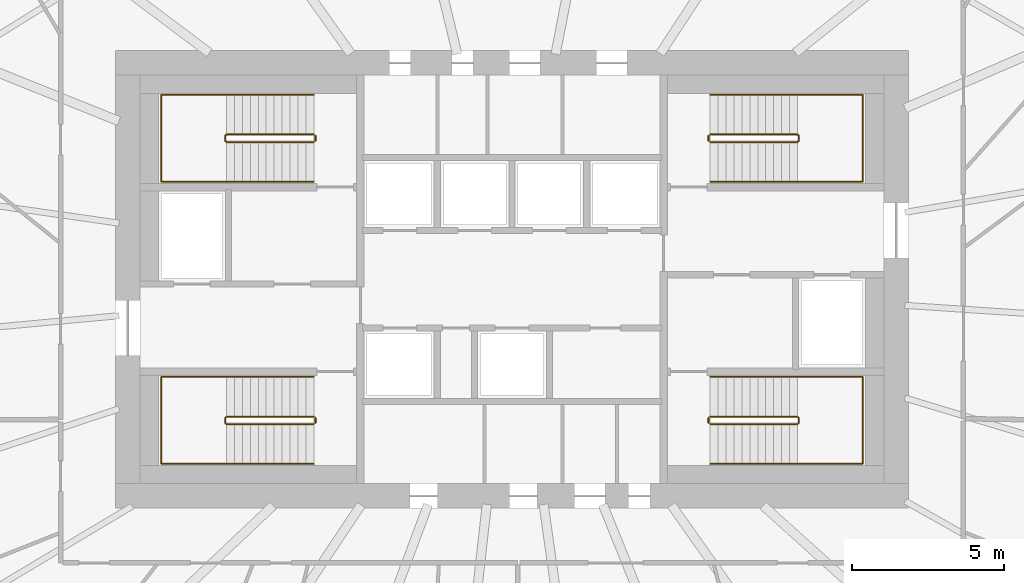
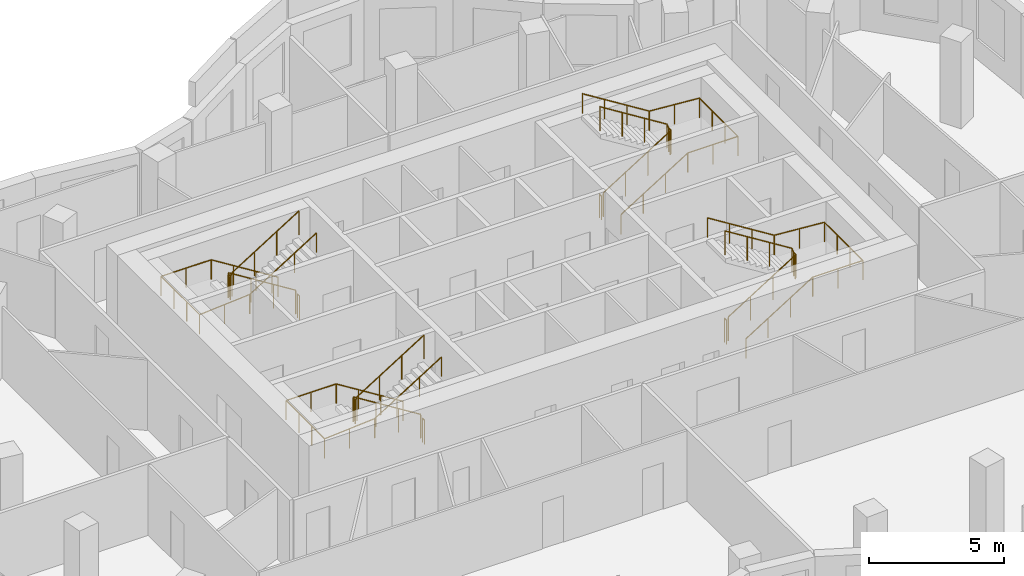
# One storey, part 9 of 9: 12 railings.
"""IFC4 building model written with IfcOpenShell, lengths in metres."""

from ifc_helpers import new_model, si_unit, direction, frame, origin, origin_2d, place, context, subcontext, project, spatial, circle, extrude, material, type_object, element, save


model = new_model("IFC4")

# Units and contexts
model_context = context("Model", 3, precision=1e-05, world=origin(), true_north=direction((0.0, 1.0)))
body_context = subcontext(model_context, "Body", "Model", "MODEL_VIEW")
ifc_project = project(units=[si_unit("LENGTHUNIT", "METRE"), si_unit("AREAUNIT", "SQUARE_METRE"), si_unit("VOLUMEUNIT", "CUBIC_METRE"), si_unit("PLANEANGLEUNIT", "RADIAN"), si_unit("MASSUNIT", "GRAM", prefix="KILO")], contexts=[model_context])

# Site, building, storey
site_placement = place(None, origin())
site = spatial("IfcSite", under=ifc_project, at=site_placement, CompositionType="ELEMENT")
building_placement = place(site_placement, origin())
building = spatial("IfcBuilding", under=site, at=building_placement, Name="Rubra Terraces Tower", CompositionType="ELEMENT")
storey_placement = place(building_placement, frame((0.0, 0.0, 300.0)))
storey = spatial("IfcBuildingStorey", under=building, at=storey_placement, Name="L74", CompositionType="ELEMENT", Elevation=300.0)

# Railings
ifc_material = material(Name="Stainless steel", Category="steel")
railing_type_1 = type_object("IfcRailingType", Name="Core stair guard 1100", PredefinedType="GUARDRAIL", material=ifc_material)
railing_1_placement = place(storey_placement, frame((-6.5, 0.0, 0.16259765625)))
element("IfcRailing", 1, at=railing_1_placement, inside=storey, type_object=railing_type_1, Name="L74 stair S1 guard 1", PredefinedType="GUARDRAIL", context=body_context, shape_type="SweptSolid", body=[
    extrude(circle(Radius=0.02392578125, at=origin_2d()), frame((0.0, 0.0, 1.076171875), z_axis=(-0.848026770018, 0.0, 0.529953391661), x_axis=(0.0, -1.0, 0.0)), (0.0, 0.0, 1.0), 3.37255859375),
    extrude(circle(Radius=0.02392578125, at=origin_2d()), frame((-2.860107421875, 0.0, 2.86328125), z_axis=(-0.705375805398, -0.708833529934, 0.0), x_axis=(0.708833529934, -0.705375805398, 0.0)), (0.0, 0.0, 1.0), 0.070556640625),
    extrude(circle(Radius=0.02392578125, at=origin_2d()), frame((-2.909912109375, -0.050048828125, 2.86328125), z_axis=(0.0, -1.0, 0.0), x_axis=(1.0, 0.0, 0.0)), (0.0, 0.0, 1.0), 0.14990234375),
    extrude(circle(Radius=0.02392578125, at=origin_2d()), frame((-2.909912109375, -0.199951171875, 2.86328125), z_axis=(0.280959487676, -0.282336740067, 0.917250092119), x_axis=(0.708833529934, 0.705375805398, 0.0)), (0.0, 0.0, 1.0), 0.17724609375),
    extrude(circle(Radius=0.02392578125, at=origin_2d()), frame((-2.860107421875, -0.25, 3.02587890625), z_axis=(0.848026770018, 0.0, 0.529953391661), x_axis=(0.0, 1.0, 0.0)), (0.0, 0.0, 1.0), 3.37255859375),
    extrude(circle(Radius=0.02099609375, at=origin_2d()), origin(), (0.0, 0.0, 1.0), 1.052001953125),
    extrude(circle(Radius=0.02099609375, at=origin_2d()), frame((-0.953369140625, 0.0, 0.595703125)), (0.0, 0.0, 1.0), 1.052001953125),
    extrude(circle(Radius=0.02099609375, at=origin_2d()), frame((-1.90673828125, 0.0, 1.191650390625)), (0.0, 0.0, 1.0), 1.052001953125),
    extrude(circle(Radius=0.02099609375, at=origin_2d()), frame((-2.860107421875, 0.0, 1.787353515625)), (0.0, 0.0, 1.0), 1.052001953125),
    extrude(circle(Radius=0.02099609375, at=origin_2d()), frame((-2.909912109375, -0.050048828125, 1.787353515625)), (0.0, 0.0, 1.0), 1.052001953125),
    extrude(circle(Radius=0.02099609375, at=origin_2d()), frame((-2.909912109375, -0.199951171875, 1.787353515625)), (0.0, 0.0, 1.0), 1.052001953125),
    extrude(circle(Radius=0.02099609375, at=origin_2d()), frame((-2.860107421875, -0.25, 1.949951171875)), (0.0, 0.0, 1.0), 1.052001953125),
    extrude(circle(Radius=0.02099609375, at=origin_2d()), frame((-1.90673828125, -0.25, 2.545654296875)), (0.0, 0.0, 1.0), 1.052001953125),
    extrude(circle(Radius=0.02099609375, at=origin_2d()), frame((-0.953369140625, -0.25, 3.1416015625)), (0.0, 0.0, 1.0), 1.052001953125),
    extrude(circle(Radius=0.02099609375, at=origin_2d()), frame((0.0, -0.25, 3.7373046875)), (0.0, 0.0, 1.0), 1.052001953125),
])
railing_2_placement = place(storey_placement, frame((-6.449951171875, -0.050048828125, 0.0)))
element("IfcRailing", 2, at=railing_2_placement, inside=storey, type_object=railing_type_1, Name="L74 stair S1 guard 2", PredefinedType="GUARDRAIL", context=body_context, shape_type="SweptSolid", body=[
    extrude(circle(Radius=0.02392578125, at=origin_2d()), frame((0.0, 0.0, 1.076171875), z_axis=(0.0, -1.0, 0.0), x_axis=(1.0, 0.0, 0.0)), (0.0, 0.0, 1.0), 0.14990234375),
    extrude(circle(Radius=0.02099609375, at=origin_2d()), origin(), (0.0, 0.0, 1.0), 1.052001953125),
    extrude(circle(Radius=0.02099609375, at=origin_2d()), frame((0.0, -0.14990234375, 0.0)), (0.0, 0.0, 1.0), 1.052001953125),
])
railing_3_placement = place(storey_placement, frame((-6.5, 9.25, 0.16259765625)))
element("IfcRailing", 3, at=railing_3_placement, inside=storey, type_object=railing_type_1, Name="L74 stair S2 guard 1", PredefinedType="GUARDRAIL", context=body_context, shape_type="SweptSolid", body=[
    extrude(circle(Radius=0.02392578125, at=origin_2d()), frame((0.0, 0.0, 1.076171875), z_axis=(-0.848026770018, 0.0, 0.529953391661), x_axis=(0.0, -1.0, 0.0)), (0.0, 0.0, 1.0), 3.37255859375),
    extrude(circle(Radius=0.02392578125, at=origin_2d()), frame((-2.860107421875, 0.0, 2.86328125), z_axis=(-0.705375805398, -0.708833529934, 0.0), x_axis=(0.708833529934, -0.705375805398, 0.0)), (0.0, 0.0, 1.0), 0.070556640625),
    extrude(circle(Radius=0.02392578125, at=origin_2d()), frame((-2.909912109375, -0.050048828125, 2.86328125), z_axis=(0.0, -1.0, 0.0), x_axis=(1.0, 0.0, 0.0)), (0.0, 0.0, 1.0), 0.14990234375),
    extrude(circle(Radius=0.02392578125, at=origin_2d()), frame((-2.909912109375, -0.199951171875, 2.86328125), z_axis=(0.280959487676, -0.282336740067, 0.917250092119), x_axis=(0.708833529934, 0.705375805398, 0.0)), (0.0, 0.0, 1.0), 0.17724609375),
    extrude(circle(Radius=0.02392578125, at=origin_2d()), frame((-2.860107421875, -0.25, 3.02587890625), z_axis=(0.848026770018, 0.0, 0.529953391661), x_axis=(0.0, 1.0, 0.0)), (0.0, 0.0, 1.0), 3.37255859375),
    extrude(circle(Radius=0.02099609375, at=origin_2d()), origin(), (0.0, 0.0, 1.0), 1.052001953125),
    extrude(circle(Radius=0.02099609375, at=origin_2d()), frame((-0.953369140625, 0.0, 0.595703125)), (0.0, 0.0, 1.0), 1.052001953125),
    extrude(circle(Radius=0.02099609375, at=origin_2d()), frame((-1.90673828125, 0.0, 1.191650390625)), (0.0, 0.0, 1.0), 1.052001953125),
    extrude(circle(Radius=0.02099609375, at=origin_2d()), frame((-2.860107421875, 0.0, 1.787353515625)), (0.0, 0.0, 1.0), 1.052001953125),
    extrude(circle(Radius=0.02099609375, at=origin_2d()), frame((-2.909912109375, -0.050048828125, 1.787353515625)), (0.0, 0.0, 1.0), 1.052001953125),
    extrude(circle(Radius=0.02099609375, at=origin_2d()), frame((-2.909912109375, -0.199951171875, 1.787353515625)), (0.0, 0.0, 1.0), 1.052001953125),
    extrude(circle(Radius=0.02099609375, at=origin_2d()), frame((-2.860107421875, -0.25, 1.949951171875)), (0.0, 0.0, 1.0), 1.052001953125),
    extrude(circle(Radius=0.02099609375, at=origin_2d()), frame((-1.90673828125, -0.25, 2.545654296875)), (0.0, 0.0, 1.0), 1.052001953125),
    extrude(circle(Radius=0.02099609375, at=origin_2d()), frame((-0.953369140625, -0.25, 3.1416015625)), (0.0, 0.0, 1.0), 1.052001953125),
    extrude(circle(Radius=0.02099609375, at=origin_2d()), frame((0.0, -0.25, 3.7373046875)), (0.0, 0.0, 1.0), 1.052001953125),
])
railing_4_placement = place(storey_placement, frame((-6.449951171875, 9.199951171875, 0.0)))
element("IfcRailing", 4, at=railing_4_placement, inside=storey, type_object=railing_type_1, Name="L74 stair S2 guard 2", PredefinedType="GUARDRAIL", context=body_context, shape_type="SweptSolid", body=[
    extrude(circle(Radius=0.02392578125, at=origin_2d()), frame((0.0, 0.0, 1.076171875), z_axis=(0.0, -1.0, 0.0), x_axis=(1.0, 0.0, 0.0)), (0.0, 0.0, 1.0), 0.14990234375),
    extrude(circle(Radius=0.02099609375, at=origin_2d()), origin(), (0.0, 0.0, 1.0), 1.052001953125),
    extrude(circle(Radius=0.02099609375, at=origin_2d()), frame((0.0, -0.14990234375, 0.0)), (0.0, 0.0, 1.0), 1.052001953125),
])
railing_5_placement = place(storey_placement, frame((6.5, 9.0, 0.16259765625)))
element("IfcRailing", 5, at=railing_5_placement, inside=storey, type_object=railing_type_1, Name="L74 stair S3 guard 1", PredefinedType="GUARDRAIL", context=body_context, shape_type="SweptSolid", body=[
    extrude(circle(Radius=0.02392578125, at=origin_2d()), frame((0.0, 0.0, 1.076171875), z_axis=(0.848026770018, 0.0, 0.529953391661), x_axis=(0.0, 1.0, 0.0)), (0.0, 0.0, 1.0), 3.37255859375),
    extrude(circle(Radius=0.02392578125, at=origin_2d()), frame((2.860107421875, 0.0, 2.86328125), z_axis=(0.705375805398, 0.708833529934, 0.0), x_axis=(-0.708833529934, 0.705375805398, 0.0)), (0.0, 0.0, 1.0), 0.070556640625),
    extrude(circle(Radius=0.02392578125, at=origin_2d()), frame((2.909912109375, 0.050048828125, 2.86328125), z_axis=(0.0, 1.0, 0.0), x_axis=(-1.0, 0.0, 0.0)), (0.0, 0.0, 1.0), 0.14990234375),
    extrude(circle(Radius=0.02392578125, at=origin_2d()), frame((2.909912109375, 0.199951171875, 2.86328125), z_axis=(-0.280959487676, 0.282336740067, 0.917250092119), x_axis=(-0.708833529934, -0.705375805398, 0.0)), (0.0, 0.0, 1.0), 0.17724609375),
    extrude(circle(Radius=0.02392578125, at=origin_2d()), frame((2.860107421875, 0.25, 3.02587890625), z_axis=(-0.848026770018, 0.0, 0.529953391661), x_axis=(0.0, -1.0, 0.0)), (0.0, 0.0, 1.0), 3.37255859375),
    extrude(circle(Radius=0.02099609375, at=origin_2d()), origin(), (0.0, 0.0, 1.0), 1.052001953125),
    extrude(circle(Radius=0.02099609375, at=origin_2d()), frame((0.953369140625, 0.0, 0.595703125)), (0.0, 0.0, 1.0), 1.052001953125),
    extrude(circle(Radius=0.02099609375, at=origin_2d()), frame((1.90673828125, 0.0, 1.191650390625)), (0.0, 0.0, 1.0), 1.052001953125),
    extrude(circle(Radius=0.02099609375, at=origin_2d()), frame((2.860107421875, 0.0, 1.787353515625)), (0.0, 0.0, 1.0), 1.052001953125),
    extrude(circle(Radius=0.02099609375, at=origin_2d()), frame((2.909912109375, 0.050048828125, 1.787353515625)), (0.0, 0.0, 1.0), 1.052001953125),
    extrude(circle(Radius=0.02099609375, at=origin_2d()), frame((2.909912109375, 0.199951171875, 1.787353515625)), (0.0, 0.0, 1.0), 1.052001953125),
    extrude(circle(Radius=0.02099609375, at=origin_2d()), frame((2.860107421875, 0.25, 1.949951171875)), (0.0, 0.0, 1.0), 1.052001953125),
    extrude(circle(Radius=0.02099609375, at=origin_2d()), frame((1.90673828125, 0.25, 2.545654296875)), (0.0, 0.0, 1.0), 1.052001953125),
    extrude(circle(Radius=0.02099609375, at=origin_2d()), frame((0.953369140625, 0.25, 3.1416015625)), (0.0, 0.0, 1.0), 1.052001953125),
    extrude(circle(Radius=0.02099609375, at=origin_2d()), frame((0.0, 0.25, 3.7373046875)), (0.0, 0.0, 1.0), 1.052001953125),
])
railing_6_placement = place(storey_placement, frame((6.449951171875, 9.050048828125, 0.0)))
element("IfcRailing", 6, at=railing_6_placement, inside=storey, type_object=railing_type_1, Name="L74 stair S3 guard 2", PredefinedType="GUARDRAIL", context=body_context, shape_type="SweptSolid", body=[
    extrude(circle(Radius=0.02392578125, at=origin_2d()), frame((0.0, 0.0, 1.076171875), z_axis=(0.0, 1.0, 0.0), x_axis=(-1.0, 0.0, 0.0)), (0.0, 0.0, 1.0), 0.14990234375),
    extrude(circle(Radius=0.02099609375, at=origin_2d()), origin(), (0.0, 0.0, 1.0), 1.052001953125),
    extrude(circle(Radius=0.02099609375, at=origin_2d()), frame((0.0, 0.14990234375, 0.0)), (0.0, 0.0, 1.0), 1.052001953125),
])
railing_7_placement = place(storey_placement, frame((6.5, -0.25, 0.16259765625)))
element("IfcRailing", 7, at=railing_7_placement, inside=storey, type_object=railing_type_1, Name="L74 stair S4 guard 1", PredefinedType="GUARDRAIL", context=body_context, shape_type="SweptSolid", body=[
    extrude(circle(Radius=0.02392578125, at=origin_2d()), frame((0.0, 0.0, 1.076171875), z_axis=(0.848026770018, 0.0, 0.529953391661), x_axis=(0.0, 1.0, 0.0)), (0.0, 0.0, 1.0), 3.37255859375),
    extrude(circle(Radius=0.02392578125, at=origin_2d()), frame((2.860107421875, 0.0, 2.86328125), z_axis=(0.705375805398, 0.708833529934, 0.0), x_axis=(-0.708833529934, 0.705375805398, 0.0)), (0.0, 0.0, 1.0), 0.070556640625),
    extrude(circle(Radius=0.02392578125, at=origin_2d()), frame((2.909912109375, 0.050048828125, 2.86328125), z_axis=(0.0, 1.0, 0.0), x_axis=(-1.0, 0.0, 0.0)), (0.0, 0.0, 1.0), 0.14990234375),
    extrude(circle(Radius=0.02392578125, at=origin_2d()), frame((2.909912109375, 0.199951171875, 2.86328125), z_axis=(-0.280959487676, 0.282336740067, 0.917250092119), x_axis=(-0.708833529934, -0.705375805398, 0.0)), (0.0, 0.0, 1.0), 0.17724609375),
    extrude(circle(Radius=0.02392578125, at=origin_2d()), frame((2.860107421875, 0.25, 3.02587890625), z_axis=(-0.848026770018, 0.0, 0.529953391661), x_axis=(0.0, -1.0, 0.0)), (0.0, 0.0, 1.0), 3.37255859375),
    extrude(circle(Radius=0.02099609375, at=origin_2d()), origin(), (0.0, 0.0, 1.0), 1.052001953125),
    extrude(circle(Radius=0.02099609375, at=origin_2d()), frame((0.953369140625, 0.0, 0.595703125)), (0.0, 0.0, 1.0), 1.052001953125),
    extrude(circle(Radius=0.02099609375, at=origin_2d()), frame((1.90673828125, 0.0, 1.191650390625)), (0.0, 0.0, 1.0), 1.052001953125),
    extrude(circle(Radius=0.02099609375, at=origin_2d()), frame((2.860107421875, 0.0, 1.787353515625)), (0.0, 0.0, 1.0), 1.052001953125),
    extrude(circle(Radius=0.02099609375, at=origin_2d()), frame((2.909912109375, 0.050048828125, 1.787353515625)), (0.0, 0.0, 1.0), 1.052001953125),
    extrude(circle(Radius=0.02099609375, at=origin_2d()), frame((2.909912109375, 0.199951171875, 1.787353515625)), (0.0, 0.0, 1.0), 1.052001953125),
    extrude(circle(Radius=0.02099609375, at=origin_2d()), frame((2.860107421875, 0.25, 1.949951171875)), (0.0, 0.0, 1.0), 1.052001953125),
    extrude(circle(Radius=0.02099609375, at=origin_2d()), frame((1.90673828125, 0.25, 2.545654296875)), (0.0, 0.0, 1.0), 1.052001953125),
    extrude(circle(Radius=0.02099609375, at=origin_2d()), frame((0.953369140625, 0.25, 3.1416015625)), (0.0, 0.0, 1.0), 1.052001953125),
    extrude(circle(Radius=0.02099609375, at=origin_2d()), frame((0.0, 0.25, 3.7373046875)), (0.0, 0.0, 1.0), 1.052001953125),
])
railing_8_placement = place(storey_placement, frame((6.449951171875, -0.199951171875, 0.0)))
element("IfcRailing", 8, at=railing_8_placement, inside=storey, type_object=railing_type_1, Name="L74 stair S4 guard 2", PredefinedType="GUARDRAIL", context=body_context, shape_type="SweptSolid", body=[
    extrude(circle(Radius=0.02392578125, at=origin_2d()), frame((0.0, 0.0, 1.076171875), z_axis=(0.0, 1.0, 0.0), x_axis=(-1.0, 0.0, 0.0)), (0.0, 0.0, 1.0), 0.14990234375),
    extrude(circle(Radius=0.02099609375, at=origin_2d()), origin(), (0.0, 0.0, 1.0), 1.052001953125),
    extrude(circle(Radius=0.02099609375, at=origin_2d()), frame((0.0, 0.14990234375, 0.0)), (0.0, 0.0, 1.0), 1.052001953125),
])
railing_type_2 = type_object("IfcRailingType", Name="Core stair handrail 900", PredefinedType="HANDRAIL", material=ifc_material)
railing_9_placement = place(storey_placement, frame((-6.5, 1.300048828125, 0.16259765625)))
element("IfcRailing", 9, at=railing_9_placement, inside=storey, type_object=railing_type_2, Name="L74 stair S1 handrail 1", PredefinedType="HANDRAIL", context=body_context, shape_type="SweptSolid", body=[
    extrude(circle(Radius=0.02392578125, at=origin_2d()), frame((0.0, 0.0, 0.8759765625), z_axis=(-0.848026770018, 0.0, 0.529953391661), x_axis=(0.0, -1.0, 0.0)), (0.0, 0.0, 1.0), 3.37255859375),
    extrude(circle(Radius=0.02392578125, at=origin_2d()), frame((-2.860107421875, 0.0, 2.6630859375), z_axis=(-1.0, 0.0, 0.0), x_axis=(0.0, -1.0, 0.0)), (0.0, 0.0, 1.0), 2.139892578125),
    extrude(circle(Radius=0.02392578125, at=origin_2d()), frame((-5.0, 0.0, 2.6630859375), z_axis=(0.0, -1.0, 0.0), x_axis=(1.0, 0.0, 0.0)), (0.0, 0.0, 1.0), 2.85009765625),
    extrude(circle(Radius=0.02392578125, at=origin_2d()), frame((-5.0, -2.85009765625, 2.6630859375), z_axis=(0.997125654253, 0.0, 0.075765623016), x_axis=(0.0, 1.0, 0.0)), (0.0, 0.0, 1.0), 2.14599609375),
    extrude(circle(Radius=0.02392578125, at=origin_2d()), frame((-2.860107421875, -2.85009765625, 2.82568359375), z_axis=(0.848026770018, 0.0, 0.529953391661), x_axis=(0.0, 1.0, 0.0)), (0.0, 0.0, 1.0), 3.37255859375),
    extrude(circle(Radius=0.02099609375, at=origin_2d()), origin(), (0.0, 0.0, 1.0), 0.851806640625),
    extrude(circle(Radius=0.02099609375, at=origin_2d()), frame((-0.953369140625, 0.0, 0.595703125)), (0.0, 0.0, 1.0), 0.851806640625),
    extrude(circle(Radius=0.02099609375, at=origin_2d()), frame((-1.90673828125, 0.0, 1.191650390625)), (0.0, 0.0, 1.0), 0.851806640625),
    extrude(circle(Radius=0.02099609375, at=origin_2d()), frame((-2.860107421875, 0.0, 1.787353515625)), (0.0, 0.0, 1.0), 0.851806640625),
    extrude(circle(Radius=0.02099609375, at=origin_2d()), frame((-3.93017578125, 0.0, 1.787353515625)), (0.0, 0.0, 1.0), 0.851806640625),
    extrude(circle(Radius=0.02099609375, at=origin_2d()), frame((-5.0, 0.0, 1.787353515625)), (0.0, 0.0, 1.0), 0.851806640625),
    extrude(circle(Radius=0.02099609375, at=origin_2d()), frame((-5.0, -0.949951171875, 1.787353515625)), (0.0, 0.0, 1.0), 0.851806640625),
    extrude(circle(Radius=0.02099609375, at=origin_2d()), frame((-5.0, -1.900146484375, 1.787353515625)), (0.0, 0.0, 1.0), 0.851806640625),
    extrude(circle(Radius=0.02099609375, at=origin_2d()), frame((-5.0, -2.85009765625, 1.787353515625)), (0.0, 0.0, 1.0), 0.851806640625),
    extrude(circle(Radius=0.02099609375, at=origin_2d()), frame((-3.93017578125, -2.85009765625, 1.86865234375)), (0.0, 0.0, 1.0), 0.851806640625),
    extrude(circle(Radius=0.02099609375, at=origin_2d()), frame((-2.860107421875, -2.85009765625, 1.949951171875)), (0.0, 0.0, 1.0), 0.851806640625),
    extrude(circle(Radius=0.02099609375, at=origin_2d()), frame((-1.90673828125, -2.85009765625, 2.545654296875)), (0.0, 0.0, 1.0), 0.851806640625),
    extrude(circle(Radius=0.02099609375, at=origin_2d()), frame((-0.953369140625, -2.85009765625, 3.1416015625)), (0.0, 0.0, 1.0), 0.851806640625),
    extrude(circle(Radius=0.02099609375, at=origin_2d()), frame((0.0, -2.85009765625, 3.7373046875)), (0.0, 0.0, 1.0), 0.851806640625),
])
railing_10_placement = place(storey_placement, frame((-6.5, 10.550048828125, 0.16259765625)))
element("IfcRailing", 10, at=railing_10_placement, inside=storey, type_object=railing_type_2, Name="L74 stair S2 handrail 1", PredefinedType="HANDRAIL", context=body_context, shape_type="SweptSolid", body=[
    extrude(circle(Radius=0.02392578125, at=origin_2d()), frame((0.0, 0.0, 0.8759765625), z_axis=(-0.848026770018, 0.0, 0.529953391661), x_axis=(0.0, -1.0, 0.0)), (0.0, 0.0, 1.0), 3.37255859375),
    extrude(circle(Radius=0.02392578125, at=origin_2d()), frame((-2.860107421875, 0.0, 2.6630859375), z_axis=(-1.0, 0.0, 0.0), x_axis=(0.0, -1.0, 0.0)), (0.0, 0.0, 1.0), 2.139892578125),
    extrude(circle(Radius=0.02392578125, at=origin_2d()), frame((-5.0, 0.0, 2.6630859375), z_axis=(0.0, -1.0, 0.0), x_axis=(1.0, 0.0, 0.0)), (0.0, 0.0, 1.0), 2.85009765625),
    extrude(circle(Radius=0.02392578125, at=origin_2d()), frame((-5.0, -2.85009765625, 2.6630859375), z_axis=(0.997125654253, 0.0, 0.075765623016), x_axis=(0.0, 1.0, 0.0)), (0.0, 0.0, 1.0), 2.14599609375),
    extrude(circle(Radius=0.02392578125, at=origin_2d()), frame((-2.860107421875, -2.85009765625, 2.82568359375), z_axis=(0.848026770018, 0.0, 0.529953391661), x_axis=(0.0, 1.0, 0.0)), (0.0, 0.0, 1.0), 3.37255859375),
    extrude(circle(Radius=0.02099609375, at=origin_2d()), origin(), (0.0, 0.0, 1.0), 0.851806640625),
    extrude(circle(Radius=0.02099609375, at=origin_2d()), frame((-0.953369140625, 0.0, 0.595703125)), (0.0, 0.0, 1.0), 0.851806640625),
    extrude(circle(Radius=0.02099609375, at=origin_2d()), frame((-1.90673828125, 0.0, 1.191650390625)), (0.0, 0.0, 1.0), 0.851806640625),
    extrude(circle(Radius=0.02099609375, at=origin_2d()), frame((-2.860107421875, 0.0, 1.787353515625)), (0.0, 0.0, 1.0), 0.851806640625),
    extrude(circle(Radius=0.02099609375, at=origin_2d()), frame((-3.93017578125, 0.0, 1.787353515625)), (0.0, 0.0, 1.0), 0.851806640625),
    extrude(circle(Radius=0.02099609375, at=origin_2d()), frame((-5.0, 0.0, 1.787353515625)), (0.0, 0.0, 1.0), 0.851806640625),
    extrude(circle(Radius=0.02099609375, at=origin_2d()), frame((-5.0, -0.949951171875, 1.787353515625)), (0.0, 0.0, 1.0), 0.851806640625),
    extrude(circle(Radius=0.02099609375, at=origin_2d()), frame((-5.0, -1.900146484375, 1.787353515625)), (0.0, 0.0, 1.0), 0.851806640625),
    extrude(circle(Radius=0.02099609375, at=origin_2d()), frame((-5.0, -2.85009765625, 1.787353515625)), (0.0, 0.0, 1.0), 0.851806640625),
    extrude(circle(Radius=0.02099609375, at=origin_2d()), frame((-3.93017578125, -2.85009765625, 1.86865234375)), (0.0, 0.0, 1.0), 0.851806640625),
    extrude(circle(Radius=0.02099609375, at=origin_2d()), frame((-2.860107421875, -2.85009765625, 1.949951171875)), (0.0, 0.0, 1.0), 0.851806640625),
    extrude(circle(Radius=0.02099609375, at=origin_2d()), frame((-1.90673828125, -2.85009765625, 2.545654296875)), (0.0, 0.0, 1.0), 0.851806640625),
    extrude(circle(Radius=0.02099609375, at=origin_2d()), frame((-0.953369140625, -2.85009765625, 3.1416015625)), (0.0, 0.0, 1.0), 0.851806640625),
    extrude(circle(Radius=0.02099609375, at=origin_2d()), frame((0.0, -2.85009765625, 3.7373046875)), (0.0, 0.0, 1.0), 0.851806640625),
])
railing_11_placement = place(storey_placement, frame((6.5, 7.699951171875, 0.16259765625)))
element("IfcRailing", 11, at=railing_11_placement, inside=storey, type_object=railing_type_2, Name="L74 stair S3 handrail 1", PredefinedType="HANDRAIL", context=body_context, shape_type="SweptSolid", body=[
    extrude(circle(Radius=0.02392578125, at=origin_2d()), frame((0.0, 0.0, 0.8759765625), z_axis=(0.848026770018, 0.0, 0.529953391661), x_axis=(0.0, 1.0, 0.0)), (0.0, 0.0, 1.0), 3.37255859375),
    extrude(circle(Radius=0.02392578125, at=origin_2d()), frame((2.860107421875, 0.0, 2.6630859375), z_axis=(1.0, 0.0, 0.0), x_axis=(0.0, 1.0, 0.0)), (0.0, 0.0, 1.0), 2.139892578125),
    extrude(circle(Radius=0.02392578125, at=origin_2d()), frame((5.0, 0.0, 2.6630859375), z_axis=(0.0, 1.0, 0.0), x_axis=(-1.0, 0.0, 0.0)), (0.0, 0.0, 1.0), 2.85009765625),
    extrude(circle(Radius=0.02392578125, at=origin_2d()), frame((5.0, 2.85009765625, 2.6630859375), z_axis=(-0.997125654253, 0.0, 0.075765623016), x_axis=(0.0, -1.0, 0.0)), (0.0, 0.0, 1.0), 2.14599609375),
    extrude(circle(Radius=0.02392578125, at=origin_2d()), frame((2.860107421875, 2.85009765625, 2.82568359375), z_axis=(-0.848026770018, 0.0, 0.529953391661), x_axis=(0.0, -1.0, 0.0)), (0.0, 0.0, 1.0), 3.37255859375),
    extrude(circle(Radius=0.02099609375, at=origin_2d()), origin(), (0.0, 0.0, 1.0), 0.851806640625),
    extrude(circle(Radius=0.02099609375, at=origin_2d()), frame((0.953369140625, 0.0, 0.595703125)), (0.0, 0.0, 1.0), 0.851806640625),
    extrude(circle(Radius=0.02099609375, at=origin_2d()), frame((1.90673828125, 0.0, 1.191650390625)), (0.0, 0.0, 1.0), 0.851806640625),
    extrude(circle(Radius=0.02099609375, at=origin_2d()), frame((2.860107421875, 0.0, 1.787353515625)), (0.0, 0.0, 1.0), 0.851806640625),
    extrude(circle(Radius=0.02099609375, at=origin_2d()), frame((3.93017578125, 0.0, 1.787353515625)), (0.0, 0.0, 1.0), 0.851806640625),
    extrude(circle(Radius=0.02099609375, at=origin_2d()), frame((5.0, 0.0, 1.787353515625)), (0.0, 0.0, 1.0), 0.851806640625),
    extrude(circle(Radius=0.02099609375, at=origin_2d()), frame((5.0, 0.949951171875, 1.787353515625)), (0.0, 0.0, 1.0), 0.851806640625),
    extrude(circle(Radius=0.02099609375, at=origin_2d()), frame((5.0, 1.900146484375, 1.787353515625)), (0.0, 0.0, 1.0), 0.851806640625),
    extrude(circle(Radius=0.02099609375, at=origin_2d()), frame((5.0, 2.85009765625, 1.787353515625)), (0.0, 0.0, 1.0), 0.851806640625),
    extrude(circle(Radius=0.02099609375, at=origin_2d()), frame((3.93017578125, 2.85009765625, 1.86865234375)), (0.0, 0.0, 1.0), 0.851806640625),
    extrude(circle(Radius=0.02099609375, at=origin_2d()), frame((2.860107421875, 2.85009765625, 1.949951171875)), (0.0, 0.0, 1.0), 0.851806640625),
    extrude(circle(Radius=0.02099609375, at=origin_2d()), frame((1.90673828125, 2.85009765625, 2.545654296875)), (0.0, 0.0, 1.0), 0.851806640625),
    extrude(circle(Radius=0.02099609375, at=origin_2d()), frame((0.953369140625, 2.85009765625, 3.1416015625)), (0.0, 0.0, 1.0), 0.851806640625),
    extrude(circle(Radius=0.02099609375, at=origin_2d()), frame((0.0, 2.85009765625, 3.7373046875)), (0.0, 0.0, 1.0), 0.851806640625),
])
railing_12_placement = place(storey_placement, frame((6.5, -1.550048828125, 0.16259765625)))
element("IfcRailing", 12, at=railing_12_placement, inside=storey, type_object=railing_type_2, Name="L74 stair S4 handrail 1", PredefinedType="HANDRAIL", context=body_context, shape_type="SweptSolid", body=[
    extrude(circle(Radius=0.02392578125, at=origin_2d()), frame((0.0, 0.0, 0.8759765625), z_axis=(0.848026770018, 0.0, 0.529953391661), x_axis=(0.0, 1.0, 0.0)), (0.0, 0.0, 1.0), 3.37255859375),
    extrude(circle(Radius=0.02392578125, at=origin_2d()), frame((2.860107421875, 0.0, 2.6630859375), z_axis=(1.0, 0.0, 0.0), x_axis=(0.0, 1.0, 0.0)), (0.0, 0.0, 1.0), 2.139892578125),
    extrude(circle(Radius=0.02392578125, at=origin_2d()), frame((5.0, 0.0, 2.6630859375), z_axis=(0.0, 1.0, 0.0), x_axis=(-1.0, 0.0, 0.0)), (0.0, 0.0, 1.0), 2.85009765625),
    extrude(circle(Radius=0.02392578125, at=origin_2d()), frame((5.0, 2.85009765625, 2.6630859375), z_axis=(-0.997125654253, 0.0, 0.075765623016), x_axis=(0.0, -1.0, 0.0)), (0.0, 0.0, 1.0), 2.14599609375),
    extrude(circle(Radius=0.02392578125, at=origin_2d()), frame((2.860107421875, 2.85009765625, 2.82568359375), z_axis=(-0.848026770018, 0.0, 0.529953391661), x_axis=(0.0, -1.0, 0.0)), (0.0, 0.0, 1.0), 3.37255859375),
    extrude(circle(Radius=0.02099609375, at=origin_2d()), origin(), (0.0, 0.0, 1.0), 0.851806640625),
    extrude(circle(Radius=0.02099609375, at=origin_2d()), frame((0.953369140625, 0.0, 0.595703125)), (0.0, 0.0, 1.0), 0.851806640625),
    extrude(circle(Radius=0.02099609375, at=origin_2d()), frame((1.90673828125, 0.0, 1.191650390625)), (0.0, 0.0, 1.0), 0.851806640625),
    extrude(circle(Radius=0.02099609375, at=origin_2d()), frame((2.860107421875, 0.0, 1.787353515625)), (0.0, 0.0, 1.0), 0.851806640625),
    extrude(circle(Radius=0.02099609375, at=origin_2d()), frame((3.93017578125, 0.0, 1.787353515625)), (0.0, 0.0, 1.0), 0.851806640625),
    extrude(circle(Radius=0.02099609375, at=origin_2d()), frame((5.0, 0.0, 1.787353515625)), (0.0, 0.0, 1.0), 0.851806640625),
    extrude(circle(Radius=0.02099609375, at=origin_2d()), frame((5.0, 0.949951171875, 1.787353515625)), (0.0, 0.0, 1.0), 0.851806640625),
    extrude(circle(Radius=0.02099609375, at=origin_2d()), frame((5.0, 1.900146484375, 1.787353515625)), (0.0, 0.0, 1.0), 0.851806640625),
    extrude(circle(Radius=0.02099609375, at=origin_2d()), frame((5.0, 2.85009765625, 1.787353515625)), (0.0, 0.0, 1.0), 0.851806640625),
    extrude(circle(Radius=0.02099609375, at=origin_2d()), frame((3.93017578125, 2.85009765625, 1.86865234375)), (0.0, 0.0, 1.0), 0.851806640625),
    extrude(circle(Radius=0.02099609375, at=origin_2d()), frame((2.860107421875, 2.85009765625, 1.949951171875)), (0.0, 0.0, 1.0), 0.851806640625),
    extrude(circle(Radius=0.02099609375, at=origin_2d()), frame((1.90673828125, 2.85009765625, 2.545654296875)), (0.0, 0.0, 1.0), 0.851806640625),
    extrude(circle(Radius=0.02099609375, at=origin_2d()), frame((0.953369140625, 2.85009765625, 3.1416015625)), (0.0, 0.0, 1.0), 0.851806640625),
    extrude(circle(Radius=0.02099609375, at=origin_2d()), frame((0.0, 2.85009765625, 3.7373046875)), (0.0, 0.0, 1.0), 0.851806640625),
])

save(model, "model.ifc")
